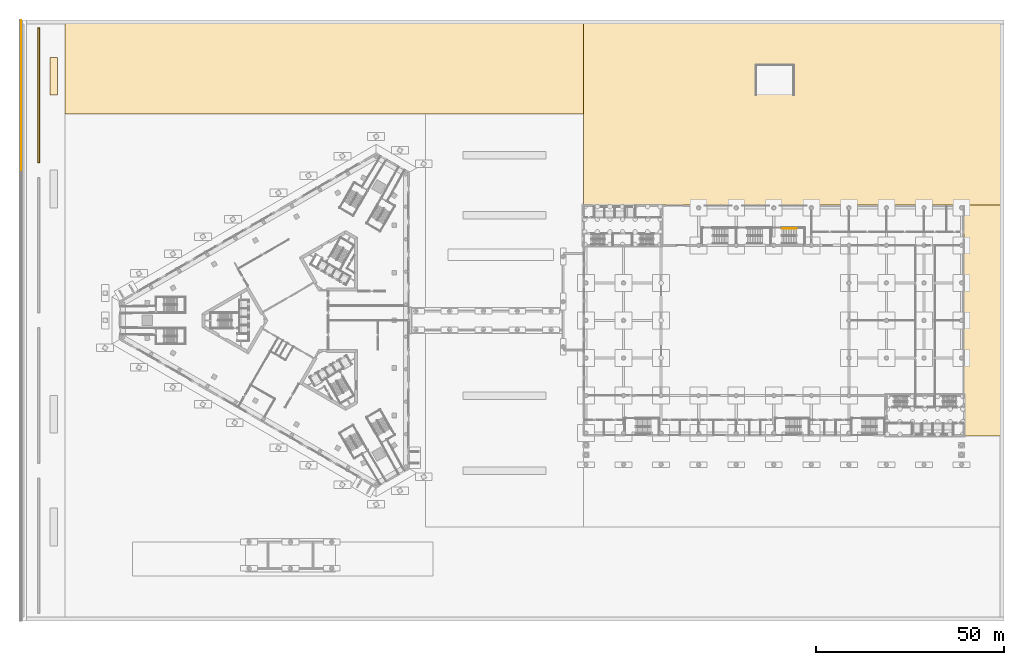
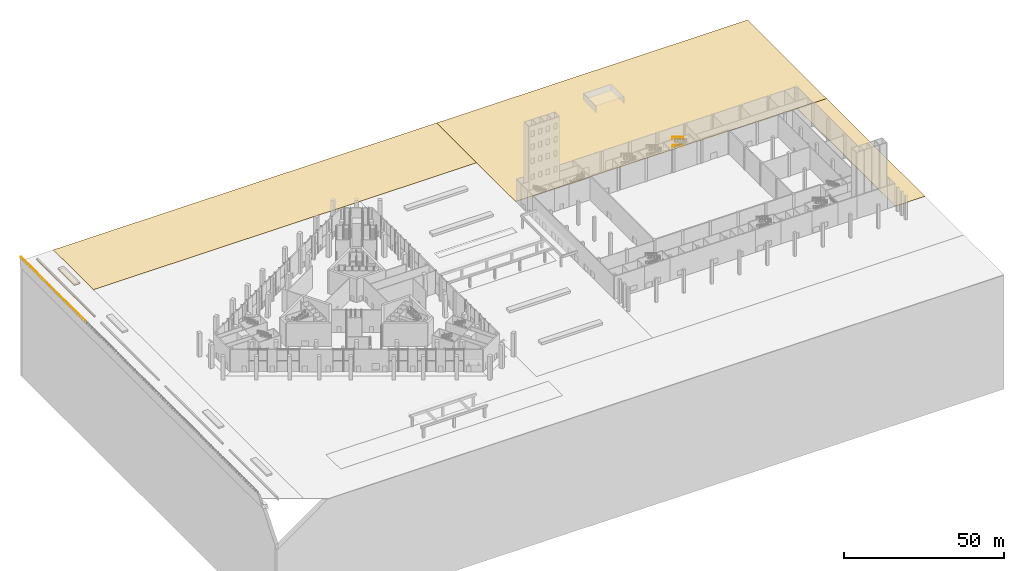
# One storey, part 62 of 63: 5 coverings, 3 railings.
"""IFC4 building model written with IfcOpenShell, lengths in metres."""

from ifc_helpers import new_model, si_unit, direction, frame, origin, origin_2d, place, context, subcontext, project, spatial, polyline, circle, outline, extrude, material, layer, layer_set, type_object, element, save


model = new_model("IFC4")

# Units and contexts
model_context = context("Model", 3, precision=1e-05, world=origin(), true_north=direction((0.0, 1.0)))
body_context = subcontext(model_context, "Body", "Model", "MODEL_VIEW")
ifc_project = project(units=[si_unit("LENGTHUNIT", "METRE"), si_unit("AREAUNIT", "SQUARE_METRE"), si_unit("VOLUMEUNIT", "CUBIC_METRE"), si_unit("PLANEANGLEUNIT", "RADIAN"), si_unit("MASSUNIT", "GRAM", prefix="KILO")], contexts=[model_context])

# Site, building, storey
site_placement = place(None, origin())
site = spatial("IfcSite", under=ifc_project, at=site_placement, CompositionType="ELEMENT")
building_placement = place(site_placement, origin())
building = spatial("IfcBuilding", under=site, at=building_placement, Name="Jabali Bay Hotel Tower and Convention Centre", CompositionType="ELEMENT")
storey_placement = place(building_placement, origin())
storey = spatial("IfcBuildingStorey", under=building, at=storey_placement, Name="L00", CompositionType="ELEMENT", Elevation=0.0)

# Railings
ifc_material_1 = material(Name="Stainless steel 304", Category="steel")
railing_type_1 = type_object("IfcRailingType", Name="CC Stair Handrail 900", PredefinedType="HANDRAIL", material=ifc_material_1)
for number, where, name in (
    (1, (206.784912109375, 104.5, 4.64990234375), "L00 CC-STN3 stair handrail 4"),
    (2, (206.784912109375, 104.5, 7.64990234375), "L00 CC-STN3 stair handrail 6"),
):
    element("IfcRailing", number, at=place(storey_placement, frame(where)), inside=storey, type_object=railing_type_1, Name=name, PredefinedType="HANDRAIL", context=body_context, shape_type="SweptSolid", body=[
        extrude(circle(Radius=0.02392578125, at=origin_2d()), frame((0.0, 0.0, 0.8759765625), z_axis=(-0.946502086907, 0.0, 0.322697690542), x_axis=(0.0, -1.0, 0.0)), (0.0, 0.0, 1.0), 4.183837890625),
        extrude(circle(Radius=0.02099609375, at=origin_2d()), origin(), (0.0, 0.0, 1.0), 0.851806640625),
        extrude(circle(Radius=0.02099609375, at=origin_2d()), frame((-0.989990234375, 0.0, 0.33740234375)), (0.0, 0.0, 1.0), 0.851806640625),
        extrude(circle(Radius=0.02099609375, at=origin_2d()), frame((-1.97998046875, 0.0, 0.675048828125)), (0.0, 0.0, 1.0), 0.851806640625),
        extrude(circle(Radius=0.02099609375, at=origin_2d()), frame((-2.969970703125, 0.0, 1.0126953125)), (0.0, 0.0, 1.0), 0.851806640625),
        extrude(circle(Radius=0.02099609375, at=origin_2d()), frame((-3.9599609375, 0.0, 1.35009765625)), (0.0, 0.0, 1.0), 0.851806640625),
    ])
railing_type_2 = type_object("IfcRailingType", Name="Quay Railing 450", PredefinedType="GUARDRAIL", material=ifc_material_1)
railing_placement = place(storey_placement, frame((0.35009765625, 120.0, 1.10009765625)))
element("IfcRailing", 3, at=railing_placement, inside=storey, type_object=railing_type_2, Name="Quay railing 4", PredefinedType="GUARDRAIL", context=body_context, shape_type="SweptSolid", body=[
    extrude(circle(Radius=0.02490234375, at=origin_2d()), frame((0.0, 0.0, 0.4248046875), z_axis=(0.0, 1.0, 0.0), x_axis=(-1.0, 0.0, 0.0)), (0.0, 0.0, 1.0), 39.949951171875),
    extrude(circle(Radius=0.02490234375, at=origin_2d()), origin(), (0.0, 0.0, 1.0), 0.39990234375),
    extrude(circle(Radius=0.02490234375, at=origin_2d()), frame((0.0, 1.479736328125, 0.0)), (0.0, 0.0, 1.0), 0.39990234375),
    extrude(circle(Radius=0.02490234375, at=origin_2d()), frame((0.0, 2.959228515625, 0.0)), (0.0, 0.0, 1.0), 0.39990234375),
    extrude(circle(Radius=0.02490234375, at=origin_2d()), frame((0.0, 4.43896484375, 0.0)), (0.0, 0.0, 1.0), 0.39990234375),
    extrude(circle(Radius=0.02490234375, at=origin_2d()), frame((0.0, 5.91845703125, 0.0)), (0.0, 0.0, 1.0), 0.39990234375),
    extrude(circle(Radius=0.02490234375, at=origin_2d()), frame((0.0, 7.398193359375, 0.0)), (0.0, 0.0, 1.0), 0.39990234375),
    extrude(circle(Radius=0.02490234375, at=origin_2d()), frame((0.0, 8.877685546875, 0.0)), (0.0, 0.0, 1.0), 0.39990234375),
    extrude(circle(Radius=0.02490234375, at=origin_2d()), frame((0.0, 10.357421875, 0.0)), (0.0, 0.0, 1.0), 0.39990234375),
    extrude(circle(Radius=0.02490234375, at=origin_2d()), frame((0.0, 11.8369140625, 0.0)), (0.0, 0.0, 1.0), 0.39990234375),
    extrude(circle(Radius=0.02490234375, at=origin_2d()), frame((0.0, 13.316650390625, 0.0)), (0.0, 0.0, 1.0), 0.39990234375),
    extrude(circle(Radius=0.02490234375, at=origin_2d()), frame((0.0, 14.79638671875, 0.0)), (0.0, 0.0, 1.0), 0.39990234375),
    extrude(circle(Radius=0.02490234375, at=origin_2d()), frame((0.0, 16.27587890625, 0.0)), (0.0, 0.0, 1.0), 0.39990234375),
    extrude(circle(Radius=0.02490234375, at=origin_2d()), frame((0.0, 17.755615234375, 0.0)), (0.0, 0.0, 1.0), 0.39990234375),
    extrude(circle(Radius=0.02490234375, at=origin_2d()), frame((0.0, 19.235107421875, 0.0)), (0.0, 0.0, 1.0), 0.39990234375),
    extrude(circle(Radius=0.02490234375, at=origin_2d()), frame((0.0, 20.71484375, 0.0)), (0.0, 0.0, 1.0), 0.39990234375),
    extrude(circle(Radius=0.02490234375, at=origin_2d()), frame((0.0, 22.1943359375, 0.0)), (0.0, 0.0, 1.0), 0.39990234375),
    extrude(circle(Radius=0.02490234375, at=origin_2d()), frame((0.0, 23.674072265625, 0.0)), (0.0, 0.0, 1.0), 0.39990234375),
    extrude(circle(Radius=0.02490234375, at=origin_2d()), frame((0.0, 25.153564453125, 0.0)), (0.0, 0.0, 1.0), 0.39990234375),
    extrude(circle(Radius=0.02490234375, at=origin_2d()), frame((0.0, 26.63330078125, 0.0)), (0.0, 0.0, 1.0), 0.39990234375),
    extrude(circle(Radius=0.02490234375, at=origin_2d()), frame((0.0, 28.113037109375, 0.0)), (0.0, 0.0, 1.0), 0.39990234375),
    extrude(circle(Radius=0.02490234375, at=origin_2d()), frame((0.0, 29.592529296875, 0.0)), (0.0, 0.0, 1.0), 0.39990234375),
    extrude(circle(Radius=0.02490234375, at=origin_2d()), frame((0.0, 31.072265625, 0.0)), (0.0, 0.0, 1.0), 0.39990234375),
    extrude(circle(Radius=0.02490234375, at=origin_2d()), frame((0.0, 32.5517578125, 0.0)), (0.0, 0.0, 1.0), 0.39990234375),
    extrude(circle(Radius=0.02490234375, at=origin_2d()), frame((0.0, 34.031494140625, 0.0)), (0.0, 0.0, 1.0), 0.39990234375),
    extrude(circle(Radius=0.02490234375, at=origin_2d()), frame((0.0, 35.510986328125, 0.0)), (0.0, 0.0, 1.0), 0.39990234375),
    extrude(circle(Radius=0.02490234375, at=origin_2d()), frame((0.0, 36.99072265625, 0.0)), (0.0, 0.0, 1.0), 0.39990234375),
    extrude(circle(Radius=0.02490234375, at=origin_2d()), frame((0.0, 38.47021484375, 0.0)), (0.0, 0.0, 1.0), 0.39990234375),
    extrude(circle(Radius=0.02490234375, at=origin_2d()), frame((0.0, 39.949951171875, 0.0)), (0.0, 0.0, 1.0), 0.39990234375),
])

# Coverings
ifc_material_2 = material(Name="Precast concrete paving flags", Category="concrete")
ifc_layer = layer(ifc_material_2, 0.14990234375)
ifc_layer_set = layer_set([ifc_layer], Name="Precast concrete paving flags")
covering_type = type_object("IfcCoveringType", Name="SI Paving 150", PredefinedType="USERDEFINED", material=ifc_layer_set)
covering_1_placement = place(storey_placement, frame((0.0, 0.0, -0.14990234375)))
element("IfcCovering", 4, at=covering_1_placement, inside=storey, type_object=covering_type, Name="SI service yard north of the podium", ObjectType="PAVING", PredefinedType="USERDEFINED", context=body_context, shape_type="SweptSolid", body=[
    extrude(outline(polyline([(150.0, 135.0), (150.0, 160.0), (12.0, 160.0), (12.0, 135.0), (150.0, 135.0)])), origin(), (0.0, 0.0, 1.0), 0.14990234375),
])
covering_2_placement = place(storey_placement, frame((0.0, 0.0, -0.14990234375)))
element("IfcCovering", 5, at=covering_2_placement, inside=storey, type_object=covering_type, Name="SI service yard north of the convention centre", ObjectType="PAVING", PredefinedType="USERDEFINED", context=body_context, shape_type="SweptSolid", body=[
    extrude(outline(polyline([(262.0, 110.699951171875), (262.0, 160.0), (150.0, 160.0), (150.0, 110.699951171875), (262.0, 110.699951171875)])), origin(), (0.0, 0.0, 1.0), 0.14990234375),
])
covering_3_placement = place(storey_placement, frame((0.0, 0.0, -0.14990234375)))
element("IfcCovering", 6, at=covering_3_placement, inside=storey, type_object=covering_type, Name="SI convention centre east paving", ObjectType="PAVING", PredefinedType="USERDEFINED", context=body_context, shape_type="SweptSolid", body=[
    extrude(outline(polyline([(262.0, 49.300048828125), (262.0, 110.699951171875), (251.39990234375, 110.699951171875), (251.39990234375, 49.300048828125), (262.0, 49.300048828125)])), origin(), (0.0, 0.0, 1.0), 0.14990234375),
])
covering_4_placement = place(storey_placement, frame((0.0, 0.0, -0.14990234375)))
element("IfcCovering", 7, at=covering_4_placement, inside=storey, type_object=covering_type, Name="SI site paving 6", ObjectType="PAVING", PredefinedType="USERDEFINED", context=body_context, shape_type="SweptSolid", body=[
    extrude(outline(polyline([(10.0, 140.01806640625), (10.0, 140.02001953125), (10.0, 149.97998046875), (10.0, 149.98193359375), (9.99951171875, 149.98388671875), (9.9990234375, 149.98583984375), (9.99853515625, 149.987548828125), (9.99755859375, 149.989501953125), (9.99658203125, 149.9912109375), (9.995361328125, 149.99267578125), (9.994140625, 149.994140625), (9.99267578125, 149.995361328125), (9.9912109375, 149.99658203125), (9.989501953125, 149.99755859375), (9.987548828125, 149.99853515625), (9.98583984375, 149.9990234375), (9.98388671875, 149.99951171875), (9.98193359375, 150.0), (9.97998046875, 150.0), (8.02001953125, 150.0), (8.01806640625, 150.0), (8.01611328125, 149.99951171875), (8.01416015625, 149.9990234375), (8.012451171875, 149.99853515625), (8.010498046875, 149.99755859375), (8.0087890625, 149.99658203125), (8.00732421875, 149.995361328125), (8.005859375, 149.994140625), (8.004638671875, 149.99267578125), (8.00341796875, 149.9912109375), (8.00244140625, 149.989501953125), (8.00146484375, 149.987548828125), (8.0009765625, 149.98583984375), (8.00048828125, 149.98388671875), (8.0, 149.98193359375), (8.0, 149.97998046875), (8.0, 140.02001953125), (8.0, 140.01806640625), (8.00048828125, 140.01611328125), (8.0009765625, 140.01416015625), (8.00146484375, 140.012451171875), (8.00244140625, 140.010498046875), (8.00341796875, 140.0087890625), (8.004638671875, 140.00732421875), (8.005859375, 140.005859375), (8.00732421875, 140.004638671875), (8.0087890625, 140.00341796875), (8.010498046875, 140.00244140625), (8.012451171875, 140.00146484375), (8.01416015625, 140.0009765625), (8.01611328125, 140.00048828125), (8.01806640625, 140.0), (8.02001953125, 140.0), (9.97998046875, 140.0), (9.98193359375, 140.0), (9.98388671875, 140.00048828125), (9.98583984375, 140.0009765625), (9.987548828125, 140.00146484375), (9.989501953125, 140.00244140625), (9.9912109375, 140.00341796875), (9.99267578125, 140.004638671875), (9.994140625, 140.005859375), (9.995361328125, 140.00732421875), (9.99658203125, 140.0087890625), (9.99755859375, 140.010498046875), (9.99853515625, 140.012451171875), (9.9990234375, 140.01416015625), (9.99951171875, 140.01611328125), (10.0, 140.01806640625)])), origin(), (0.0, 0.0, 1.0), 0.14990234375),
])
covering_5_placement = place(storey_placement, frame((0.0, 0.0, -0.14990234375)))
element("IfcCovering", 8, at=covering_5_placement, inside=storey, type_object=covering_type, Name="SI site paving 11", ObjectType="PAVING", PredefinedType="USERDEFINED", context=body_context, shape_type="SweptSolid", body=[
    extrude(outline(polyline([(5.224853515625, 122.01806640625), (5.22509765625, 122.02001953125), (5.22509765625, 157.97998046875), (5.224853515625, 157.98193359375), (5.224609375, 157.98388671875), (5.22412109375, 157.98583984375), (5.223388671875, 157.987548828125), (5.22265625, 157.989501953125), (5.2216796875, 157.9912109375), (5.220458984375, 157.99267578125), (5.21923828125, 157.994140625), (5.2177734375, 157.995361328125), (5.216064453125, 157.99658203125), (5.21435546875, 157.99755859375), (5.212646484375, 157.99853515625), (5.210693359375, 157.9990234375), (5.208984375, 157.99951171875), (5.20703125, 158.0), (5.205078125, 158.0), (4.794921875, 158.0), (4.79296875, 158.0), (4.791015625, 157.99951171875), (4.789306640625, 157.9990234375), (4.787353515625, 157.99853515625), (4.78564453125, 157.99755859375), (4.783935546875, 157.99658203125), (4.7822265625, 157.995361328125), (4.78076171875, 157.994140625), (4.779541015625, 157.99267578125), (4.7783203125, 157.9912109375), (4.77734375, 157.989501953125), (4.776611328125, 157.987548828125), (4.77587890625, 157.98583984375), (4.775390625, 157.98388671875), (4.775146484375, 157.98193359375), (4.77490234375, 157.97998046875), (4.77490234375, 122.02001953125), (4.775146484375, 122.01806640625), (4.775390625, 122.01611328125), (4.77587890625, 122.01416015625), (4.776611328125, 122.012451171875), (4.77734375, 122.010498046875), (4.7783203125, 122.0087890625), (4.779541015625, 122.00732421875), (4.78076171875, 122.005859375), (4.7822265625, 122.004638671875), (4.783935546875, 122.00341796875), (4.78564453125, 122.00244140625), (4.787353515625, 122.00146484375), (4.789306640625, 122.0009765625), (4.791015625, 122.00048828125), (4.79296875, 122.0), (4.794921875, 122.0), (5.205078125, 122.0), (5.20703125, 122.0), (5.208984375, 122.00048828125), (5.210693359375, 122.0009765625), (5.212646484375, 122.00146484375), (5.21435546875, 122.00244140625), (5.216064453125, 122.00341796875), (5.2177734375, 122.004638671875), (5.21923828125, 122.005859375), (5.220458984375, 122.00732421875), (5.2216796875, 122.0087890625), (5.22265625, 122.010498046875), (5.223388671875, 122.012451171875), (5.22412109375, 122.01416015625), (5.224609375, 122.01611328125), (5.224853515625, 122.01806640625)])), origin(), (0.0, 0.0, 1.0), 0.14990234375),
])

save(model, "model.ifc")
